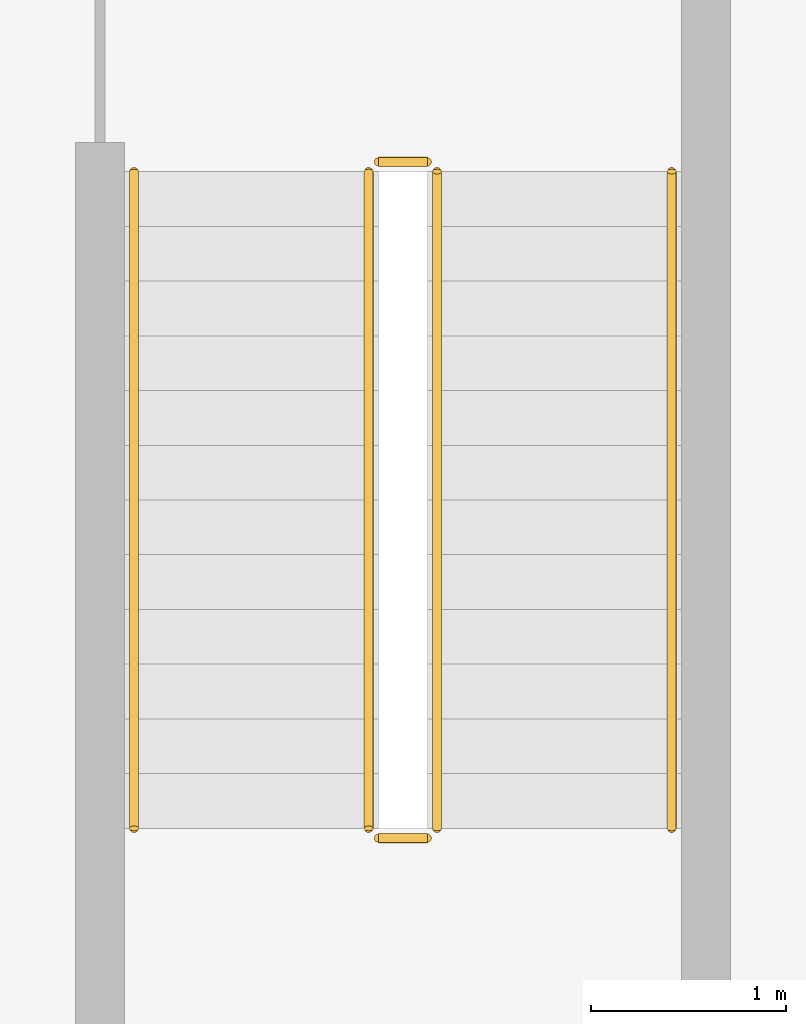
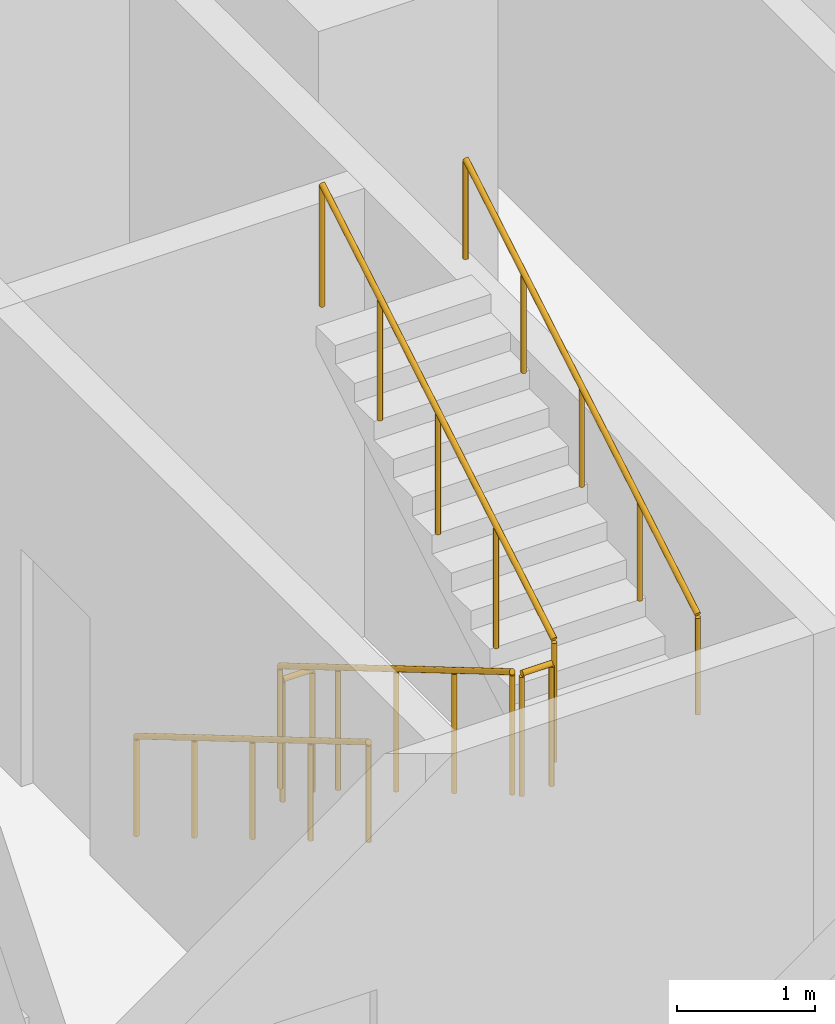
# One storey, part 25 of 29: 6 railings.
"""IFC4 building model written with IfcOpenShell, lengths in metres."""

from ifc_helpers import new_model, si_unit, direction, frame, origin, origin_2d, place, context, subcontext, project, spatial, circle, extrude, material, type_object, element, save


model = new_model("IFC4")

# Units and contexts
model_context = context("Model", 3, precision=1e-05, world=origin(), true_north=direction((0.0, 1.0)))
body_context = subcontext(model_context, "Body", "Model", "MODEL_VIEW")
ifc_project = project(units=[si_unit("LENGTHUNIT", "METRE"), si_unit("AREAUNIT", "SQUARE_METRE"), si_unit("VOLUMEUNIT", "CUBIC_METRE"), si_unit("PLANEANGLEUNIT", "RADIAN"), si_unit("MASSUNIT", "GRAM", prefix="KILO")], contexts=[model_context])

# Site, building, storey
site_placement = place(None, origin())
site = spatial("IfcSite", under=ifc_project, at=site_placement, CompositionType="ELEMENT")
building_placement = place(site_placement, origin())
building = spatial("IfcBuilding", under=site, at=building_placement, Name="Mahtab Terrace Research Tower", CompositionType="ELEMENT")
storey_placement = place(building_placement, frame((0.0, 0.0, 67.5)))
storey = spatial("IfcBuildingStorey", under=building, at=storey_placement, Name="L15", CompositionType="ELEMENT", Elevation=67.5)

# Railings
ifc_material = material(Name="Stainless steel AISI 304", Category="steel")
railing_type_1 = type_object("IfcRailingType", Name="Stair guard 1100", PredefinedType="GUARDRAIL", material=ifc_material)
railing_1_placement = place(storey_placement, frame((2.949951171875, -4.175048828125, 0.165283203125)))
element("IfcRailing", 1, at=railing_1_placement, inside=storey, type_object=railing_type_1, Name="L15 ST2 stair guard 1", PredefinedType="GUARDRAIL", context=body_context, shape_type="SweptSolid", body=[
    extrude(circle(Radius=0.02392578125, at=origin_2d()), frame((0.0, 0.0, 1.076171875), z_axis=(0.0, -0.861011212953, 0.508585972249), x_axis=(1.0, 0.0, 0.0)), (0.0, 0.0, 1.0), 3.90234375),
    extrude(circle(Radius=0.02099609375, at=origin_2d()), origin(), (0.0, 0.0, 1.0), 1.052001953125),
    extrude(circle(Radius=0.02099609375, at=origin_2d()), frame((0.0, -0.83984375, 0.49609375)), (0.0, 0.0, 1.0), 1.052001953125),
    extrude(circle(Radius=0.02099609375, at=origin_2d()), frame((0.0, -1.679931640625, 0.9921875)), (0.0, 0.0, 1.0), 1.052001953125),
    extrude(circle(Radius=0.02099609375, at=origin_2d()), frame((0.0, -2.52001953125, 1.488525390625)), (0.0, 0.0, 1.0), 1.052001953125),
    extrude(circle(Radius=0.02099609375, at=origin_2d()), frame((0.0, -3.35986328125, 1.984619140625)), (0.0, 0.0, 1.0), 1.052001953125),
])
railing_2_placement = place(storey_placement, frame((3.0, -7.5849609375, 2.14990234375)))
element("IfcRailing", 2, at=railing_2_placement, inside=storey, type_object=railing_type_1, Name="L15 ST2 stair guard 2", PredefinedType="GUARDRAIL", context=body_context, shape_type="SweptSolid", body=[
    extrude(circle(Radius=0.02392578125, at=origin_2d()), frame((0.0, 0.0, 1.076171875), z_axis=(1.0, 0.0, 0.0), x_axis=(0.0, 1.0, 0.0)), (0.0, 0.0, 1.0), 0.25),
    extrude(circle(Radius=0.02099609375, at=origin_2d()), origin(), (0.0, 0.0, 1.0), 1.052001953125),
    extrude(circle(Radius=0.02099609375, at=origin_2d()), frame((0.25, 0.0, 0.0)), (0.0, 0.0, 1.0), 1.052001953125),
])
railing_3_placement = place(storey_placement, frame((3.300048828125, -7.534912109375, 2.3154296875)))
element("IfcRailing", 3, at=railing_3_placement, inside=storey, type_object=railing_type_1, Name="L15 ST2 stair guard 3", PredefinedType="GUARDRAIL", context=body_context, shape_type="SweptSolid", body=[
    extrude(circle(Radius=0.02392578125, at=origin_2d()), frame((0.0, 0.0, 1.076171875), z_axis=(0.0, 0.861011212953, 0.508585972249), x_axis=(-1.0, 0.0, 0.0)), (0.0, 0.0, 1.0), 3.90234375),
    extrude(circle(Radius=0.02099609375, at=origin_2d()), origin(), (0.0, 0.0, 1.0), 1.052001953125),
    extrude(circle(Radius=0.02099609375, at=origin_2d()), frame((0.0, 0.83984375, 0.49609375)), (0.0, 0.0, 1.0), 1.052001953125),
    extrude(circle(Radius=0.02099609375, at=origin_2d()), frame((0.0, 1.679931640625, 0.9921875)), (0.0, 0.0, 1.0), 1.052001953125),
    extrude(circle(Radius=0.02099609375, at=origin_2d()), frame((0.0, 2.52001953125, 1.488525390625)), (0.0, 0.0, 1.0), 1.052001953125),
    extrude(circle(Radius=0.02099609375, at=origin_2d()), frame((0.0, 3.35986328125, 1.984619140625)), (0.0, 0.0, 1.0), 1.052001953125),
])
railing_4_placement = place(storey_placement, frame((3.0, -4.125, 0.0)))
element("IfcRailing", 4, at=railing_4_placement, inside=storey, type_object=railing_type_1, Name="L15 ST2 stair guard 4", PredefinedType="GUARDRAIL", context=body_context, shape_type="SweptSolid", body=[
    extrude(circle(Radius=0.02392578125, at=origin_2d()), frame((0.0, 0.0, 1.076171875), z_axis=(1.0, 0.0, 0.0), x_axis=(0.0, 1.0, 0.0)), (0.0, 0.0, 1.0), 0.25),
    extrude(circle(Radius=0.02099609375, at=origin_2d()), origin(), (0.0, 0.0, 1.0), 1.052001953125),
    extrude(circle(Radius=0.02099609375, at=origin_2d()), frame((0.25, 0.0, 0.0)), (0.0, 0.0, 1.0), 1.052001953125),
])
railing_type_2 = type_object("IfcRailingType", Name="Stair handrail 900", PredefinedType="HANDRAIL", material=ifc_material)
railing_5_placement = place(storey_placement, frame((1.75, -4.175048828125, 0.165283203125)))
element("IfcRailing", 5, at=railing_5_placement, inside=storey, type_object=railing_type_2, Name="L15 ST2 stair handrail 1", PredefinedType="HANDRAIL", context=body_context, shape_type="SweptSolid", body=[
    extrude(circle(Radius=0.02392578125, at=origin_2d()), frame((0.0, 0.0, 0.8759765625), z_axis=(0.0, -0.861011212953, 0.508585972249), x_axis=(1.0, 0.0, 0.0)), (0.0, 0.0, 1.0), 3.90234375),
    extrude(circle(Radius=0.02099609375, at=origin_2d()), origin(), (0.0, 0.0, 1.0), 0.851806640625),
    extrude(circle(Radius=0.02099609375, at=origin_2d()), frame((0.0, -0.83984375, 0.49609375)), (0.0, 0.0, 1.0), 0.851806640625),
    extrude(circle(Radius=0.02099609375, at=origin_2d()), frame((0.0, -1.679931640625, 0.9921875)), (0.0, 0.0, 1.0), 0.851806640625),
    extrude(circle(Radius=0.02099609375, at=origin_2d()), frame((0.0, -2.52001953125, 1.488525390625)), (0.0, 0.0, 1.0), 0.851806640625),
    extrude(circle(Radius=0.02099609375, at=origin_2d()), frame((0.0, -3.35986328125, 1.984619140625)), (0.0, 0.0, 1.0), 0.851806640625),
])
railing_6_placement = place(storey_placement, frame((4.5, -7.534912109375, 2.3154296875)))
element("IfcRailing", 6, at=railing_6_placement, inside=storey, type_object=railing_type_2, Name="L15 ST2 stair handrail 2", PredefinedType="HANDRAIL", context=body_context, shape_type="SweptSolid", body=[
    extrude(circle(Radius=0.02392578125, at=origin_2d()), frame((0.0, 0.0, 0.8759765625), z_axis=(0.0, 0.861011212953, 0.508585972249), x_axis=(-1.0, 0.0, 0.0)), (0.0, 0.0, 1.0), 3.90234375),
    extrude(circle(Radius=0.02099609375, at=origin_2d()), origin(), (0.0, 0.0, 1.0), 0.851806640625),
    extrude(circle(Radius=0.02099609375, at=origin_2d()), frame((0.0, 0.83984375, 0.49609375)), (0.0, 0.0, 1.0), 0.851806640625),
    extrude(circle(Radius=0.02099609375, at=origin_2d()), frame((0.0, 1.679931640625, 0.9921875)), (0.0, 0.0, 1.0), 0.851806640625),
    extrude(circle(Radius=0.02099609375, at=origin_2d()), frame((0.0, 2.52001953125, 1.488525390625)), (0.0, 0.0, 1.0), 0.851806640625),
    extrude(circle(Radius=0.02099609375, at=origin_2d()), frame((0.0, 3.35986328125, 1.984619140625)), (0.0, 0.0, 1.0), 0.851806640625),
])

save(model, "model.ifc")
